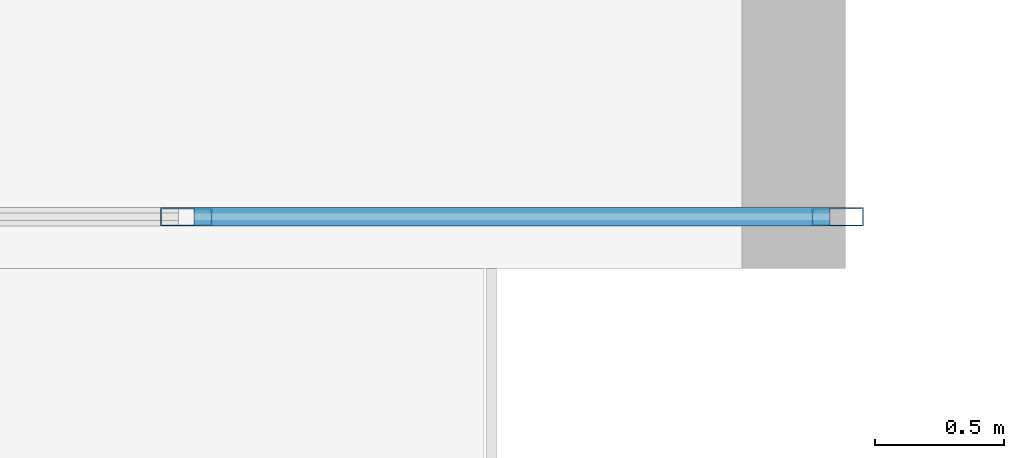
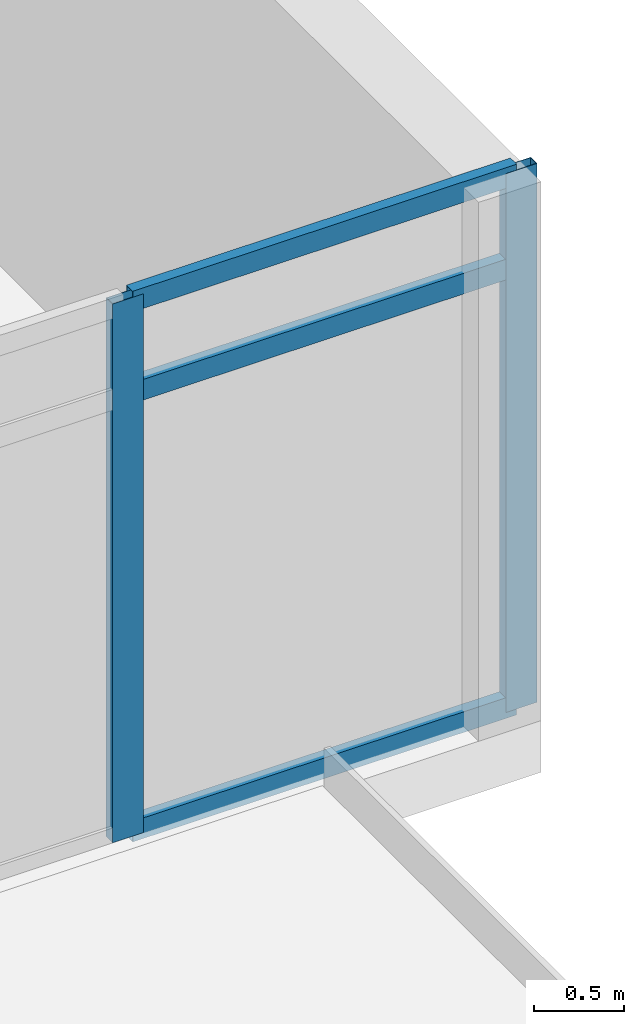
# One storey, part 10 of 24: 5 members, 1 element without a shape of its own.
"""IFC4 building model written with IfcOpenShell, lengths in metres."""

from ifc_helpers import new_model, si_unit, direction, frame, origin, origin_2d, place, context, subcontext, project, spatial, hollow_rectangle, extrude, material, material_profile, profile_set, type_object, element, aggregate, save


model = new_model("IFC4")

# Units and contexts
model_context = context("Model", 3, precision=1e-05, world=origin(), true_north=direction((0.0, 1.0)))
body_context = subcontext(model_context, "Body", "Model", "MODEL_VIEW")
ifc_project = project(units=[si_unit("LENGTHUNIT", "METRE"), si_unit("AREAUNIT", "SQUARE_METRE"), si_unit("VOLUMEUNIT", "CUBIC_METRE"), si_unit("PLANEANGLEUNIT", "RADIAN"), si_unit("MASSUNIT", "GRAM", prefix="KILO")], contexts=[model_context])

# Site, building, storey
site_placement = place(None, origin())
site = spatial("IfcSite", under=ifc_project, at=site_placement, CompositionType="ELEMENT")
building_placement = place(site_placement, origin())
building = spatial("IfcBuilding", under=site, at=building_placement, Name="Ostrander Bayou Hotel Tower", CompositionType="ELEMENT")
storey_placement = place(building_placement, frame((0.0, 0.0, 6.0)))
storey = spatial("IfcBuildingStorey", under=building, at=storey_placement, Name="L01", CompositionType="ELEMENT", Elevation=6.0)

# Curtain wall, members
ifc_material_1 = material(Name="Aluminium and clear glass", Category="aluminium")
curtain_wall_type = type_object("IfcCurtainWallType", Name="CW-LOBBY glazed wall", PredefinedType="NOTDEFINED", material=ifc_material_1)
curtain_wall_placement = place(storey_placement, origin())
curtain_wall = element("IfcCurtainWall", 1, at=curtain_wall_placement, inside=storey, type_object=curtain_wall_type, Name="CW-LOBBY L01:2", PredefinedType="NOTDEFINED")
ifc_material_2 = material(Name="Aluminium", Category="aluminium")
ifc_material_profile_1 = material_profile(ifc_material_2, hollow_rectangle(XDim=0.070068359375, YDim=0.199951171875, WallThickness=0.00390625, at=origin_2d()))
ifc_profile_set_1 = profile_set([ifc_material_profile_1], Name="Aluminium")
member_type_1 = type_object("IfcMemberType", Name="CW-LO mullion 70 x 200 mm", PredefinedType="MULLION", material=ifc_profile_set_1)
member_1_placement = place(storey_placement, frame((13.969970703125, -50.199951171875, 0.0), z_axis=(0.0, 0.0, 1.0), x_axis=(0.0, -1.0, 0.0)))
member_1 = element("IfcMember", 2, at=member_1_placement, type_object=member_type_1, Name="CW-LOBBY mullion 1", PredefinedType="MULLION", context=body_context, shape_type="SweptSolid", body=[
    extrude(hollow_rectangle(XDim=0.070068359375, YDim=0.199951171875, WallThickness=0.00390625, at=origin_2d()), origin(), (0.0, 0.0, 1.0), 3.64990234375),
])
member_2_placement = place(storey_placement, frame((11.449951171875, -50.199951171875, 0.0), z_axis=(0.0, 0.0, 1.0), x_axis=(0.0, -1.0, 0.0)))
member_2 = element("IfcMember", 3, at=member_2_placement, type_object=member_type_1, Name="CW-LOBBY mullion 2", PredefinedType="MULLION", context=body_context, shape_type="SweptSolid", body=[
    extrude(hollow_rectangle(XDim=0.070068359375, YDim=0.199951171875, WallThickness=0.00390625, at=origin_2d()), origin(), (0.0, 0.0, 1.0), 3.64990234375),
])
ifc_material_3 = material(Name="Aluminium", Category="aluminium")
ifc_material_profile_2 = material_profile(ifc_material_3, hollow_rectangle(XDim=0.070068359375, YDim=0.139892578125, WallThickness=0.00390625, at=origin_2d()))
ifc_profile_set_2 = profile_set([ifc_material_profile_2], Name="Aluminium")
member_type_2 = type_object("IfcMemberType", Name="CW-LO transom 70 x 140 mm", PredefinedType="USERDEFINED", material=ifc_profile_set_2)
member_3_placement = place(storey_placement, frame((13.93994140625, -50.199951171875, 0.030029296875), z_axis=(-1.0, 0.0, 0.0), x_axis=(0.0, -1.0, 0.0)))
member_3 = element("IfcMember", 4, at=member_3_placement, type_object=member_type_2, Name="CW-LOBBY transom 1.1", ObjectType="TRANSOM", PredefinedType="USERDEFINED", context=body_context, shape_type="SweptSolid", body=[
    extrude(hollow_rectangle(XDim=0.070068359375, YDim=0.139892578125, WallThickness=0.00390625, at=origin_2d()), origin(), (0.0, 0.0, 1.0), 2.4599609375),
])
member_4_placement = place(storey_placement, frame((13.93994140625, -50.199951171875, 3.0), z_axis=(-1.0, 0.0, 0.0), x_axis=(0.0, -1.0, 0.0)))
member_4 = element("IfcMember", 5, at=member_4_placement, type_object=member_type_2, Name="CW-LOBBY transom 1.2", ObjectType="TRANSOM", PredefinedType="USERDEFINED", context=body_context, shape_type="SweptSolid", body=[
    extrude(hollow_rectangle(XDim=0.070068359375, YDim=0.139892578125, WallThickness=0.00390625, at=origin_2d()), origin(), (0.0, 0.0, 1.0), 2.4599609375),
])
member_5_placement = place(storey_placement, frame((13.93994140625, -50.199951171875, 3.6201171875), z_axis=(-1.0, 0.0, 0.0), x_axis=(0.0, -1.0, 0.0)))
member_5 = element("IfcMember", 6, at=member_5_placement, type_object=member_type_2, Name="CW-LOBBY transom 1.3", ObjectType="TRANSOM", PredefinedType="USERDEFINED", context=body_context, shape_type="SweptSolid", body=[
    extrude(hollow_rectangle(XDim=0.070068359375, YDim=0.139892578125, WallThickness=0.00390625, at=origin_2d()), origin(), (0.0, 0.0, 1.0), 2.4599609375),
])
aggregate(curtain_wall, [member_1, member_2, member_3, member_4, member_5])

save(model, "model.ifc")
